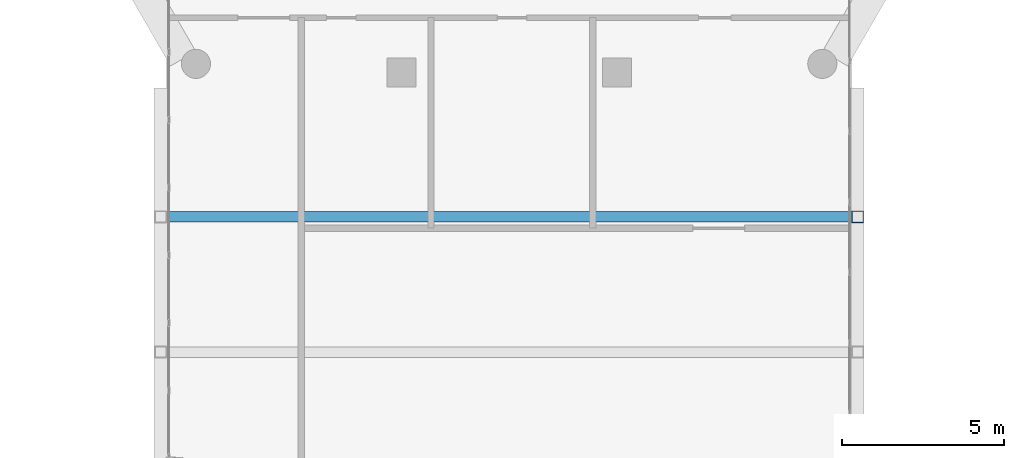
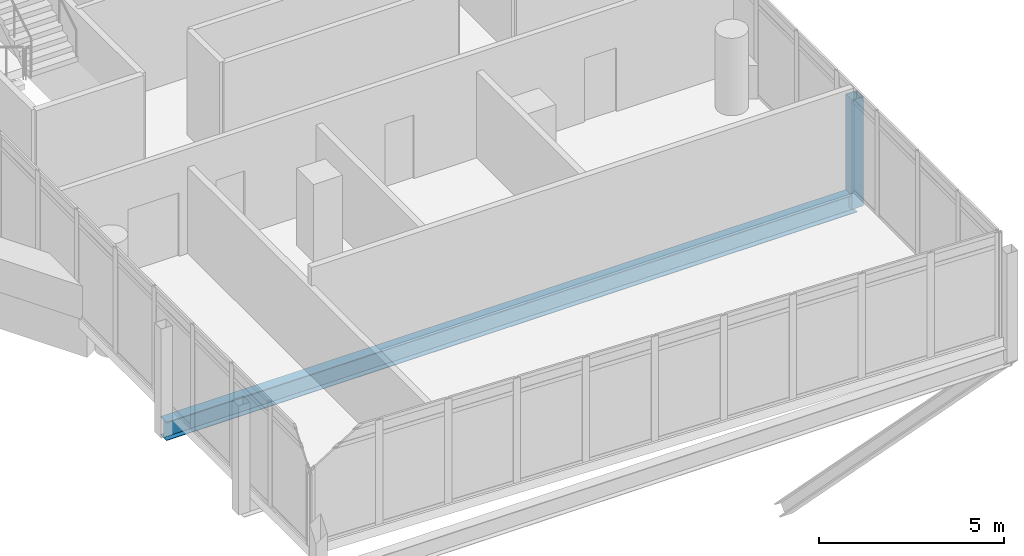
# One storey, part 11 of 34: 1 beam, 1 member.
"""IFC4 building model written with IfcOpenShell, lengths in metres."""

from ifc_helpers import new_model, si_unit, direction, frame, origin, origin_2d, place, context, subcontext, project, spatial, hollow_rectangle, i_section, extrude, material, material_profile, profile_set, type_object, element, save


model = new_model("IFC4")

# Units and contexts
model_context = context("Model", 3, precision=1e-05, world=origin(), true_north=direction((0.0, 1.0)))
body_context = subcontext(model_context, "Body", "Model", "MODEL_VIEW")
ifc_project = project(units=[si_unit("LENGTHUNIT", "METRE"), si_unit("AREAUNIT", "SQUARE_METRE"), si_unit("VOLUMEUNIT", "CUBIC_METRE"), si_unit("PLANEANGLEUNIT", "RADIAN"), si_unit("MASSUNIT", "GRAM", prefix="KILO")], contexts=[model_context])

# Site, building, storey
site_placement = place(None, origin())
site = spatial("IfcSite", under=ifc_project, at=site_placement, CompositionType="ELEMENT")
building_placement = place(site_placement, origin())
building = spatial("IfcBuilding", under=site, at=building_placement, Name="Ostrander Bayou Hotel Tower", CompositionType="ELEMENT")
storey_placement = place(building_placement, frame((0.0, 0.0, 222.0)))
storey = spatial("IfcBuildingStorey", under=building, at=storey_placement, Name="L55", CompositionType="ELEMENT", Elevation=222.0)

# Beam
ifc_material_1 = material(Name="Steel ASTM A992", Category="steel")
ifc_material_profile_1 = material_profile(ifc_material_1, i_section(OverallWidth=0.32373046875, OverallDepth=0.611083984375, WebThickness=0.0126953125, FlangeThickness=0.01904296875, at=origin_2d()))
ifc_profile_set_1 = profile_set([ifc_material_profile_1], Name="Steel ASTM A992")
beam_type = type_object("IfcBeamType", Name="TF2 bar floor beam W24x104", PredefinedType="BEAM", material=ifc_profile_set_1)
beam_placement = place(storey_placement, frame((-10.764892578125, -21.147705078125, -0.605712890625), z_axis=(1.0, 0.0, 0.0), x_axis=(0.0, 1.0, 0.0)))
element("IfcBeam", 1, at=beam_placement, inside=storey, type_object=beam_type, Name="TF2 SB5S L1-1", PredefinedType="BEAM", context=body_context, shape_type="SweptSolid", body=[
    extrude(i_section(OverallWidth=0.32373046875, OverallDepth=0.611083984375, WebThickness=0.0126953125, FlangeThickness=0.01904296875, at=origin_2d()), origin(), (0.0, 0.0, 1.0), 21.52978515625),
])

# Member
ifc_material_2 = material(Name="Steel ASTM A500 Gr C", Category="steel")
ifc_material_profile_2 = material_profile(ifc_material_2, hollow_rectangle(XDim=0.355712890625, YDim=0.355712890625, WallThickness=0.0087890625, at=origin_2d()))
ifc_profile_set_2 = profile_set([ifc_material_profile_2], Name="Steel ASTM A500 Gr C")
member_type = type_object("IfcMemberType", Name="TH3 bar hanger HSS14x14x3/8", PredefinedType="POST", material=ifc_profile_set_2)
member_placement = place(storey_placement, frame((10.764892578125, -21.147705078125, -0.760986328125), z_axis=(0.0, 0.0, 1.0), x_axis=(1.0, 0.0, 0.0)))
element("IfcMember", 2, at=member_placement, inside=storey, type_object=member_type, Name="TH3 SB5SB H1-1", PredefinedType="POST", context=body_context, shape_type="SweptSolid", body=[
    extrude(hollow_rectangle(XDim=0.355712890625, YDim=0.355712890625, WallThickness=0.0087890625, at=origin_2d()), origin(), (0.0, 0.0, 1.0), 3.599853515625),
])

save(model, "model.ifc")
